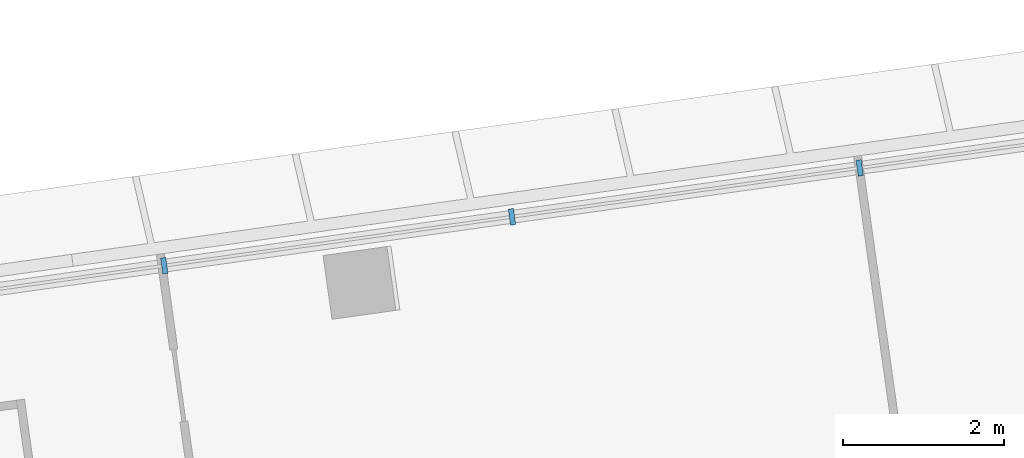
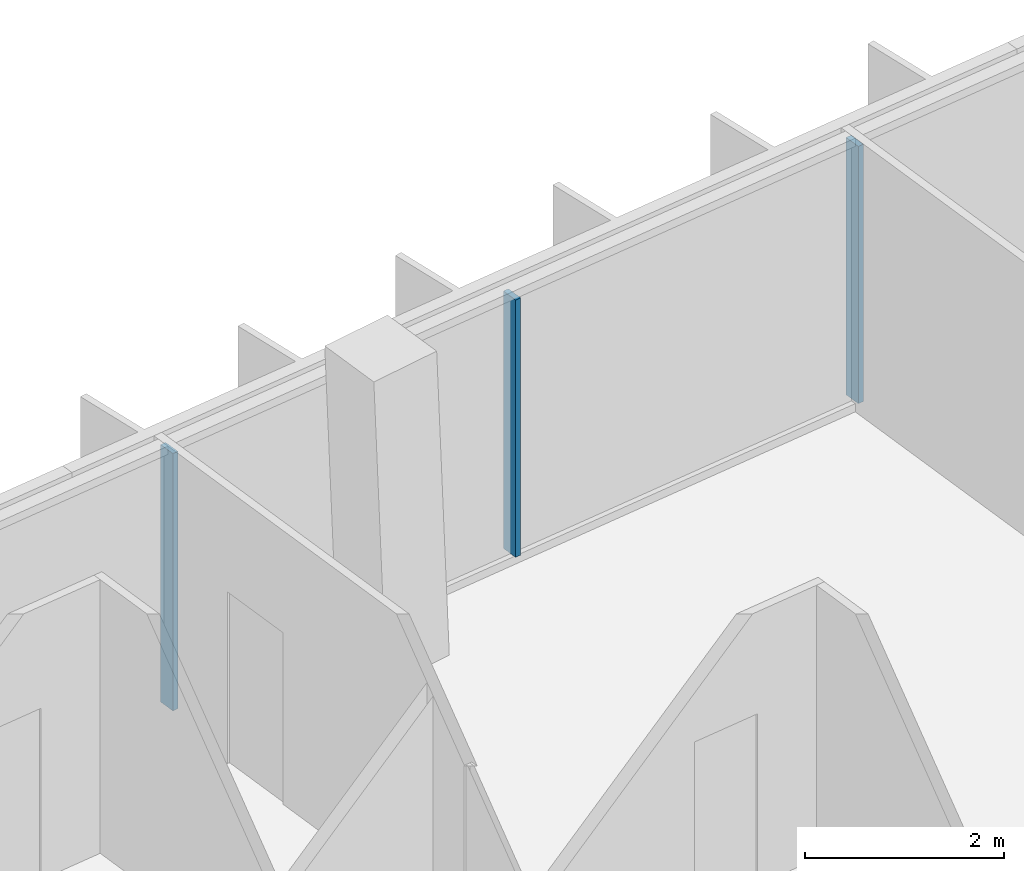
# One storey, part 12 of 26: 3 members, 1 element without a shape of its own.
"""IFC4 building model written with IfcOpenShell, lengths in metres."""

from ifc_helpers import new_model, si_unit, direction, frame, origin, origin_2d, place, context, subcontext, project, spatial, rectangle, extrude, material, material_profile, profile_set, type_object, element, aggregate, save


model = new_model("IFC4")

# Units and contexts
model_context = context("Model", 3, precision=1e-05, world=origin(), true_north=direction((0.0, 1.0)))
body_context = subcontext(model_context, "Body", "Model", "MODEL_VIEW")
ifc_project = project(units=[si_unit("LENGTHUNIT", "METRE"), si_unit("AREAUNIT", "SQUARE_METRE"), si_unit("VOLUMEUNIT", "CUBIC_METRE"), si_unit("PLANEANGLEUNIT", "RADIAN"), si_unit("MASSUNIT", "GRAM", prefix="KILO")], contexts=[model_context])

# Site, building, storey
site_placement = place(None, origin())
site = spatial("IfcSite", under=ifc_project, at=site_placement, CompositionType="ELEMENT")
building_placement = place(site_placement, origin())
building = spatial("IfcBuilding", under=site, at=building_placement, Name="Mirante Cascada Hotel Towers", CompositionType="ELEMENT")
storey_placement = place(building_placement, frame((0.0, 0.0, 203.0)))
storey = spatial("IfcBuildingStorey", under=building, at=storey_placement, Name="L48", CompositionType="ELEMENT", Elevation=203.0)

# Curtain wall, members
ifc_material_1 = material(Name="Aluminium mullion and transom frame with clear laminated glass", Category="aluminium")
curtain_wall_type = type_object("IfcCurtainWallType", Name="Ribbon curtain wall ECW1", PredefinedType="NOTDEFINED", material=ifc_material_1)
curtain_wall_placement = place(storey_placement, origin())
curtain_wall = element("IfcCurtainWall", 1, at=curtain_wall_placement, inside=storey, type_object=curtain_wall_type, Name="Front ribbon wall T2 L48", PredefinedType="NOTDEFINED")
ifc_material_2 = material(Name="Anodised aluminium extrusion", Category="aluminium")
ifc_material_profile = material_profile(ifc_material_2, rectangle(XDim=0.2, YDim=0.065, at=origin_2d()), Name="ECW1 MULLION 65x200")
ifc_profile_set = profile_set([ifc_material_profile], Name="Anodised aluminium extrusion")
member_type = type_object("IfcMemberType", Name="ECW1 mullion 65x200", PredefinedType="MULLION", material=ifc_profile_set)
member_1_placement = place(storey_placement, frame((50.4171, 19.9047, 0.1), z_axis=(0.0, 0.0, 1.0), x_axis=(0.1391731, -0.9902681, 0.0)))
member_1 = element("IfcMember", 2, at=member_1_placement, type_object=member_type, Name="ECW1 mullion 7", PredefinedType="MULLION", context=body_context, shape_type="SweptSolid", body=[
    extrude(rectangle(XDim=0.2, YDim=0.065, at=origin_2d()), origin(), (0.0, 0.0, 1.0), 3.15),
])
member_2_placement = place(storey_placement, frame((46.0977, 19.2976, 0.1), z_axis=(0.0, 0.0, 1.0), x_axis=(0.1391731, -0.9902681, 0.0)))
member_2 = element("IfcMember", 3, at=member_2_placement, type_object=member_type, Name="ECW1 mullion 8", PredefinedType="MULLION", context=body_context, shape_type="SweptSolid", body=[
    extrude(rectangle(XDim=0.2, YDim=0.065, at=origin_2d()), origin(), (0.0, 0.0, 1.0), 3.15),
])
member_3_placement = place(storey_placement, frame((41.7783, 18.6906, 0.1), z_axis=(0.0, 0.0, 1.0), x_axis=(0.1391731, -0.9902681, 0.0)))
member_3 = element("IfcMember", 4, at=member_3_placement, type_object=member_type, Name="ECW1 mullion 9", PredefinedType="MULLION", context=body_context, shape_type="SweptSolid", body=[
    extrude(rectangle(XDim=0.2, YDim=0.065, at=origin_2d()), origin(), (0.0, 0.0, 1.0), 3.15),
])
aggregate(curtain_wall, [member_1, member_2, member_3])

save(model, "model.ifc")
